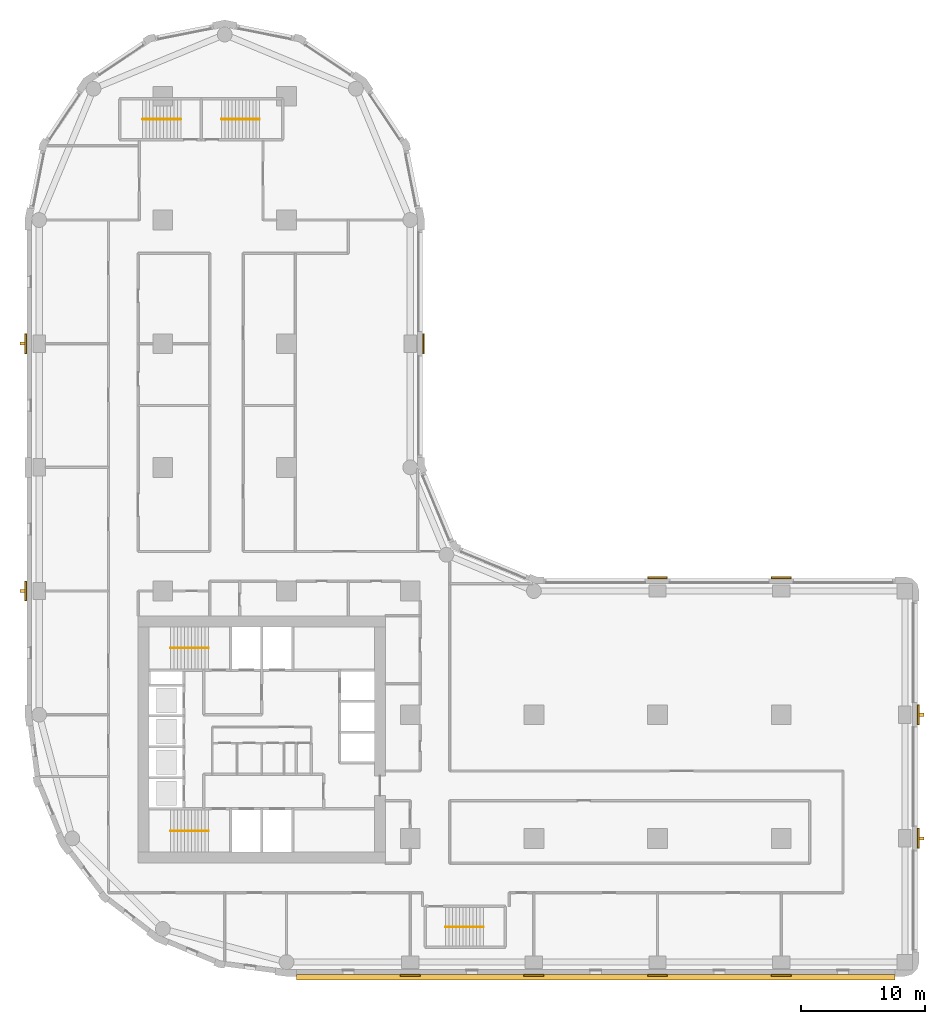
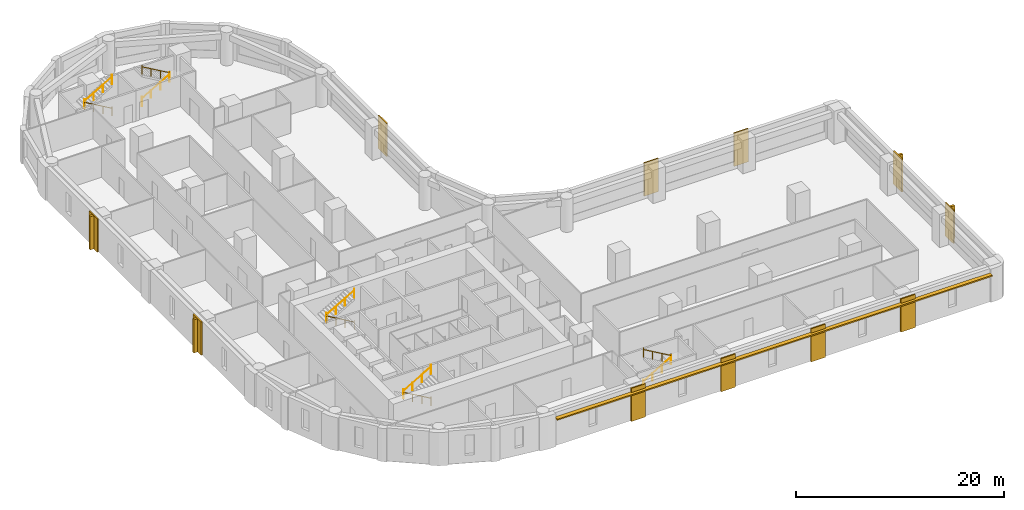
# One storey, part 9 of 10: 11 coverings, 10 railings, 5 shading devices.
"""IFC4 building model written with IfcOpenShell, lengths in metres."""

from ifc_helpers import new_model, si_unit, direction, frame, origin, origin_2d, place, context, subcontext, project, spatial, polyline, rectangle, circle, outline, extrude, material, layer, layer_set, type_object, element, save


model = new_model("IFC4")

# Units and contexts
model_context = context("Model", 3, precision=1e-05, world=origin(), true_north=direction((0.0, 1.0)))
body_context = subcontext(model_context, "Body", "Model", "MODEL_VIEW")
ifc_project = project(units=[si_unit("LENGTHUNIT", "METRE"), si_unit("AREAUNIT", "SQUARE_METRE"), si_unit("VOLUMEUNIT", "CUBIC_METRE"), si_unit("PLANEANGLEUNIT", "RADIAN"), si_unit("MASSUNIT", "GRAM", prefix="KILO")], contexts=[model_context])

# Site, building, storey
site_placement = place(None, origin())
site = spatial("IfcSite", under=ifc_project, at=site_placement, CompositionType="ELEMENT")
building_placement = place(site_placement, origin())
building = spatial("IfcBuilding", under=site, at=building_placement, Name="Qaws Garden Tower", CompositionType="ELEMENT")
storey_placement = place(building_placement, frame((0.0, 0.0, 101.699951171875)))
storey = spatial("IfcBuildingStorey", under=building, at=storey_placement, Name="L25", CompositionType="ELEMENT", Elevation=101.699951171875)

# Coverings
ifc_material_1 = material(Name="Clay facing brick masonry", Category="masonry")
ifc_layer_1 = layer(ifc_material_1, 0.14990234375)
ifc_layer_set_1 = layer_set([ifc_layer_1], Name="Clay facing brick masonry")
covering_type = type_object("IfcCoveringType", Name="Brick pilaster facing 150 x 1600", PredefinedType="CLADDING", material=ifc_layer_set_1)
placement = place(storey_placement, origin())
element("IfcCovering", 1, at=placement, inside=storey, type_object=covering_type, Name="E-L25-pier-01", PredefinedType="CLADDING", context=body_context, shape_type="SweptSolid", body=[
    extrude(outline(polyline([(29.199951171875, -1.0), (30.800048828125, -1.0), (30.800048828125, -1.14990234375), (29.199951171875, -1.14990234375), (29.199951171875, -1.0)])), origin(), (0.0, 0.0, 1.0), 3.900146484375),
])
element("IfcCovering", 2, at=placement, inside=storey, type_object=covering_type, Name="E-L25-pier-02", PredefinedType="CLADDING", context=body_context, shape_type="SweptSolid", body=[
    extrude(outline(polyline([(39.199951171875, -1.0), (40.800048828125, -1.0), (40.800048828125, -1.14990234375), (39.199951171875, -1.14990234375), (39.199951171875, -1.0)])), origin(), (0.0, 0.0, 1.0), 3.900146484375),
])
element("IfcCovering", 3, at=placement, inside=storey, type_object=covering_type, Name="E-L25-pier-03", PredefinedType="CLADDING", context=body_context, shape_type="SweptSolid", body=[
    extrude(outline(polyline([(49.199951171875, -1.0), (50.800048828125, -1.0), (50.800048828125, -1.14990234375), (49.199951171875, -1.14990234375), (49.199951171875, -1.0)])), origin(), (0.0, 0.0, 1.0), 3.900146484375),
])
element("IfcCovering", 4, at=placement, inside=storey, type_object=covering_type, Name="E-L25-pier-04", PredefinedType="CLADDING", context=body_context, shape_type="SweptSolid", body=[
    extrude(outline(polyline([(59.199951171875, -1.0), (60.800048828125, -1.0), (60.800048828125, -1.14990234375), (59.199951171875, -1.14990234375), (59.199951171875, -1.0)])), origin(), (0.0, 0.0, 1.0), 3.900146484375),
])
element("IfcCovering", 5, at=placement, inside=storey, type_object=covering_type, Name="E-L25-pier-06", PredefinedType="CLADDING", context=body_context, shape_type="SweptSolid", body=[
    extrude(outline(polyline([(71.0, 9.199951171875), (71.0, 10.800048828125), (71.14990234375, 10.800048828125), (71.14990234375, 9.199951171875), (71.0, 9.199951171875)])), origin(), (0.0, 0.0, 1.0), 3.900146484375),
])
element("IfcCovering", 6, at=placement, inside=storey, type_object=covering_type, Name="E-L25-pier-07", PredefinedType="CLADDING", context=body_context, shape_type="SweptSolid", body=[
    extrude(outline(polyline([(71.0, 19.199951171875), (71.0, 20.800048828125), (71.14990234375, 20.800048828125), (71.14990234375, 19.199951171875), (71.0, 19.199951171875)])), origin(), (0.0, 0.0, 1.0), 3.900146484375),
])
element("IfcCovering", 7, at=placement, inside=storey, type_object=covering_type, Name="E-L25-pier-09", PredefinedType="CLADDING", context=body_context, shape_type="SweptSolid", body=[
    extrude(outline(polyline([(60.800048828125, 31.0), (59.199951171875, 31.0), (59.199951171875, 31.14990234375), (60.800048828125, 31.14990234375), (60.800048828125, 31.0)])), origin(), (0.0, 0.0, 1.0), 3.900146484375),
])
element("IfcCovering", 8, at=placement, inside=storey, type_object=covering_type, Name="E-L25-pier-10", PredefinedType="CLADDING", context=body_context, shape_type="SweptSolid", body=[
    extrude(outline(polyline([(50.800048828125, 31.0), (49.199951171875, 31.0), (49.199951171875, 31.14990234375), (50.800048828125, 31.14990234375), (50.800048828125, 31.0)])), origin(), (0.0, 0.0, 1.0), 3.900146484375),
])
element("IfcCovering", 9, at=placement, inside=storey, type_object=covering_type, Name="E-L25-pier-14", PredefinedType="CLADDING", context=body_context, shape_type="SweptSolid", body=[
    extrude(outline(polyline([(31.0, 49.199951171875), (31.0, 50.800048828125), (31.14990234375, 50.800048828125), (31.14990234375, 49.199951171875), (31.0, 49.199951171875)])), origin(), (0.0, 0.0, 1.0), 3.900146484375),
])
element("IfcCovering", 10, at=placement, inside=storey, type_object=covering_type, Name="E-L25-pier-24", PredefinedType="CLADDING", context=body_context, shape_type="SweptSolid", body=[
    extrude(outline(polyline([(-1.0, 50.800048828125), (-1.0, 49.199951171875), (-1.14990234375, 49.199951171875), (-1.14990234375, 50.800048828125), (-1.0, 50.800048828125)])), origin(), (0.0, 0.0, 1.0), 3.900146484375),
])
element("IfcCovering", 11, at=placement, inside=storey, type_object=covering_type, Name="E-L25-pier-26", PredefinedType="CLADDING", context=body_context, shape_type="SweptSolid", body=[
    extrude(outline(polyline([(-1.0, 30.800048828125), (-1.0, 29.199951171875), (-1.14990234375, 29.199951171875), (-1.14990234375, 30.800048828125), (-1.0, 30.800048828125)])), origin(), (0.0, 0.0, 1.0), 3.900146484375),
])

# Shading devices
ifc_material_2 = material(Name="Clay facing brick masonry", Category="masonry")
ifc_layer_2 = layer(ifc_material_2, 0.14990234375)
ifc_layer_set_2 = layer_set([ifc_layer_2], Name="Clay facing brick masonry")
shading_device_type_1 = type_object("IfcShadingDeviceType", Name="Brick sunshade band 450 x 150", PredefinedType="JALOUSIE", material=ifc_layer_set_2)
shading_device_placement = place(storey_placement, frame((0.0, 0.0, 3.25)))
element("IfcShadingDevice", 12, at=shading_device_placement, inside=storey, type_object=shading_device_type_1, Name="SUNSHADE 00", PredefinedType="JALOUSIE", context=body_context, shape_type="SweptSolid", body=[
    extrude(outline(polyline([(20.800048828125, -1.0), (20.800048828125, -1.449951171875), (69.199951171875, -1.449951171875), (69.199951171875, -1.0), (60.800048828125, -1.0), (60.800048828125, -1.14990234375), (59.199951171875, -1.14990234375), (59.199951171875, -1.0), (50.800048828125, -1.0), (50.800048828125, -1.14990234375), (49.199951171875, -1.14990234375), (49.199951171875, -1.0), (40.800048828125, -1.0), (40.800048828125, -1.14990234375), (39.199951171875, -1.14990234375), (39.199951171875, -1.0), (30.800048828125, -1.0), (30.800048828125, -1.14990234375), (29.199951171875, -1.14990234375), (29.199951171875, -1.0), (20.800048828125, -1.0)])), origin(), (0.0, 0.0, 1.0), 0.150146484375),
])
ifc_material_3 = material(Name="Clay facing brick masonry", Category="masonry")
ifc_layer_3 = layer(ifc_material_3, 0.25)
ifc_layer_set_3 = layer_set([ifc_layer_3], Name="Clay facing brick masonry")
shading_device_type_2 = type_object("IfcShadingDeviceType", Name="Brick-faced fin 250 x 400", PredefinedType="USERDEFINED", material=ifc_layer_set_3)
for number, where, z_axis, x_axis, name in (
    (13, (71.35009765625, 10.0, 0.0), (0.0, 0.0, 1.0), (0.0, 1.0, 0.0), "FIN 06"),
    (14, (71.35009765625, 20.0, 0.0), (0.0, 0.0, 1.0), (0.0, 1.0, 0.0), "FIN 07"),
    (15, (-1.35009765625, 50.0, 0.0), (0.0, 0.0, 1.0), (0.0, -1.0, 0.0), "FIN 24"),
    (16, (-1.35009765625, 30.0, 0.0), (0.0, 0.0, 1.0), (0.0, -1.0, 0.0), "FIN 26"),
):
    element("IfcShadingDevice", number, at=place(storey_placement, frame(where, z_axis=z_axis, x_axis=x_axis)), inside=storey, type_object=shading_device_type_2, Name=name, ObjectType="FIN", PredefinedType="USERDEFINED", context=body_context, shape_type="SweptSolid", body=[
        extrude(rectangle(XDim=0.25, YDim=0.39990234375, at=origin_2d()), origin(), (0.0, 0.0, 1.0), 3.89990234375),
    ])

# Railings
ifc_material_4 = material(Name="Steel S355", Category="steel")
railing_type = type_object("IfcRailingType", Name="Stair handrail 900", PredefinedType="HANDRAIL", material=ifc_material_4)
railing_1_placement = place(storey_placement, frame((13.699951171875, 10.60009765625, 0.16259765625)))
element("IfcRailing", 17, at=railing_1_placement, inside=storey, type_object=railing_type, Name="Stair 1 handrail", PredefinedType="HANDRAIL", context=body_context, shape_type="SweptSolid", body=[
    extrude(circle(Radius=0.02392578125, at=origin_2d()), frame((0.0, 0.0, 0.8759765625), z_axis=(-0.864903211148, 0.0, 0.501938676878), x_axis=(0.0, -1.0, 0.0)), (0.0, 0.0, 1.0), 3.560791015625),
    extrude(circle(Radius=0.02099609375, at=origin_2d()), origin(), (0.0, 0.0, 1.0), 1.06201171875),
    extrude(circle(Radius=0.02099609375, at=origin_2d()), frame((-1.026611328125, 0.0, 0.595703125)), (0.0, 0.0, 1.0), 0.851806640625),
    extrude(circle(Radius=0.02099609375, at=origin_2d()), frame((-2.05322265625, 0.0, 1.191650390625)), (0.0, 0.0, 1.0), 0.851806640625),
    extrude(circle(Radius=0.02099609375, at=origin_2d()), frame((-3.079833984375, 0.0, 1.787353515625)), (0.0, 0.0, 1.0), 1.06201171875),
])
railing_2_placement = place(storey_placement, frame((10.6201171875, 10.60009765625, 2.112548828125)))
element("IfcRailing", 18, at=railing_2_placement, inside=storey, type_object=railing_type, Name="Stair 1 handrail", PredefinedType="HANDRAIL", context=body_context, shape_type="SweptSolid", body=[
    extrude(circle(Radius=0.02392578125, at=origin_2d()), frame((0.0, 0.0, 0.8759765625), z_axis=(0.864873446163, 0.0, 0.501989962173), x_axis=(0.0, 1.0, 0.0)), (0.0, 0.0, 1.0), 3.56103515625),
    extrude(circle(Radius=0.02099609375, at=origin_2d()), origin(), (0.0, 0.0, 1.0), 1.06201171875),
    extrude(circle(Radius=0.02099609375, at=origin_2d()), frame((1.026611328125, 0.0, 0.595947265625)), (0.0, 0.0, 1.0), 0.851806640625),
    extrude(circle(Radius=0.02099609375, at=origin_2d()), frame((2.05322265625, 0.0, 1.191650390625)), (0.0, 0.0, 1.0), 0.851806640625),
    extrude(circle(Radius=0.02099609375, at=origin_2d()), frame((3.079833984375, 0.0, 1.78759765625)), (0.0, 0.0, 1.0), 1.06201171875),
])
railing_3_placement = place(storey_placement, frame((13.699951171875, 25.39990234375, 0.16259765625)))
element("IfcRailing", 19, at=railing_3_placement, inside=storey, type_object=railing_type, Name="Stair 4 handrail", PredefinedType="HANDRAIL", context=body_context, shape_type="SweptSolid", body=[
    extrude(circle(Radius=0.02392578125, at=origin_2d()), frame((0.0, 0.0, 0.8759765625), z_axis=(-0.864903211148, 0.0, 0.501938676878), x_axis=(0.0, -1.0, 0.0)), (0.0, 0.0, 1.0), 3.560791015625),
    extrude(circle(Radius=0.02099609375, at=origin_2d()), origin(), (0.0, 0.0, 1.0), 1.06201171875),
    extrude(circle(Radius=0.02099609375, at=origin_2d()), frame((-1.026611328125, 0.0, 0.595703125)), (0.0, 0.0, 1.0), 0.851806640625),
    extrude(circle(Radius=0.02099609375, at=origin_2d()), frame((-2.05322265625, 0.0, 1.191650390625)), (0.0, 0.0, 1.0), 0.851806640625),
    extrude(circle(Radius=0.02099609375, at=origin_2d()), frame((-3.079833984375, 0.0, 1.787353515625)), (0.0, 0.0, 1.0), 1.06201171875),
])
railing_4_placement = place(storey_placement, frame((10.6201171875, 25.39990234375, 2.112548828125)))
element("IfcRailing", 20, at=railing_4_placement, inside=storey, type_object=railing_type, Name="Stair 4 handrail", PredefinedType="HANDRAIL", context=body_context, shape_type="SweptSolid", body=[
    extrude(circle(Radius=0.02392578125, at=origin_2d()), frame((0.0, 0.0, 0.8759765625), z_axis=(0.864873446163, 0.0, 0.501989962173), x_axis=(0.0, 1.0, 0.0)), (0.0, 0.0, 1.0), 3.56103515625),
    extrude(circle(Radius=0.02099609375, at=origin_2d()), origin(), (0.0, 0.0, 1.0), 1.06201171875),
    extrude(circle(Radius=0.02099609375, at=origin_2d()), frame((1.026611328125, 0.0, 0.595947265625)), (0.0, 0.0, 1.0), 0.851806640625),
    extrude(circle(Radius=0.02099609375, at=origin_2d()), frame((2.05322265625, 0.0, 1.191650390625)), (0.0, 0.0, 1.0), 0.851806640625),
    extrude(circle(Radius=0.02099609375, at=origin_2d()), frame((3.079833984375, 0.0, 1.78759765625)), (0.0, 0.0, 1.0), 1.06201171875),
])
railing_5_placement = place(storey_placement, frame((32.85009765625, 2.85009765625, 0.16259765625)))
element("IfcRailing", 21, at=railing_5_placement, inside=storey, type_object=railing_type, Name="Stair 5 handrail", PredefinedType="HANDRAIL", context=body_context, shape_type="SweptSolid", body=[
    extrude(circle(Radius=0.02392578125, at=origin_2d()), frame((0.0, 0.0, 0.8759765625), z_axis=(0.864903211148, 0.0, 0.501938676878), x_axis=(0.0, 1.0, 0.0)), (0.0, 0.0, 1.0), 3.560791015625),
    extrude(circle(Radius=0.02099609375, at=origin_2d()), origin(), (0.0, 0.0, 1.0), 1.06201171875),
    extrude(circle(Radius=0.02099609375, at=origin_2d()), frame((1.026611328125, 0.0, 0.595703125)), (0.0, 0.0, 1.0), 0.851806640625),
    extrude(circle(Radius=0.02099609375, at=origin_2d()), frame((2.05322265625, 0.0, 1.191650390625)), (0.0, 0.0, 1.0), 0.851806640625),
    extrude(circle(Radius=0.02099609375, at=origin_2d()), frame((3.079833984375, 0.0, 1.787353515625)), (0.0, 0.0, 1.0), 1.06201171875),
])
railing_6_placement = place(storey_placement, frame((35.929931640625, 2.85009765625, 2.112548828125)))
element("IfcRailing", 22, at=railing_6_placement, inside=storey, type_object=railing_type, Name="Stair 5 handrail", PredefinedType="HANDRAIL", context=body_context, shape_type="SweptSolid", body=[
    extrude(circle(Radius=0.02392578125, at=origin_2d()), frame((0.0, 0.0, 0.8759765625), z_axis=(-0.864873446163, 0.0, 0.501989962173), x_axis=(0.0, -1.0, 0.0)), (0.0, 0.0, 1.0), 3.56103515625),
    extrude(circle(Radius=0.02099609375, at=origin_2d()), origin(), (0.0, 0.0, 1.0), 1.06201171875),
    extrude(circle(Radius=0.02099609375, at=origin_2d()), frame((-1.026611328125, 0.0, 0.595947265625)), (0.0, 0.0, 1.0), 0.851806640625),
    extrude(circle(Radius=0.02099609375, at=origin_2d()), frame((-2.05322265625, 0.0, 1.191650390625)), (0.0, 0.0, 1.0), 0.851806640625),
    extrude(circle(Radius=0.02099609375, at=origin_2d()), frame((-3.079833984375, 0.0, 1.78759765625)), (0.0, 0.0, 1.0), 1.06201171875),
])
railing_7_placement = place(storey_placement, frame((11.449951171875, 68.14990234375, 0.16259765625)))
element("IfcRailing", 23, at=railing_7_placement, inside=storey, type_object=railing_type, Name="Stair 6 handrail", PredefinedType="HANDRAIL", context=body_context, shape_type="SweptSolid", body=[
    extrude(circle(Radius=0.02392578125, at=origin_2d()), frame((0.0, 0.0, 0.8759765625), z_axis=(-0.864903211148, 0.0, 0.501938676878), x_axis=(0.0, -1.0, 0.0)), (0.0, 0.0, 1.0), 3.560791015625),
    extrude(circle(Radius=0.02099609375, at=origin_2d()), origin(), (0.0, 0.0, 1.0), 1.06201171875),
    extrude(circle(Radius=0.02099609375, at=origin_2d()), frame((-1.026611328125, 0.0, 0.595703125)), (0.0, 0.0, 1.0), 0.851806640625),
    extrude(circle(Radius=0.02099609375, at=origin_2d()), frame((-2.05322265625, 0.0, 1.191650390625)), (0.0, 0.0, 1.0), 0.851806640625),
    extrude(circle(Radius=0.02099609375, at=origin_2d()), frame((-3.079833984375, 0.0, 1.787353515625)), (0.0, 0.0, 1.0), 1.06201171875),
])
railing_8_placement = place(storey_placement, frame((8.3701171875, 68.14990234375, 2.112548828125)))
element("IfcRailing", 24, at=railing_8_placement, inside=storey, type_object=railing_type, Name="Stair 6 handrail", PredefinedType="HANDRAIL", context=body_context, shape_type="SweptSolid", body=[
    extrude(circle(Radius=0.02392578125, at=origin_2d()), frame((0.0, 0.0, 0.8759765625), z_axis=(0.864873446163, 0.0, 0.501989962173), x_axis=(0.0, 1.0, 0.0)), (0.0, 0.0, 1.0), 3.56103515625),
    extrude(circle(Radius=0.02099609375, at=origin_2d()), origin(), (0.0, 0.0, 1.0), 1.06201171875),
    extrude(circle(Radius=0.02099609375, at=origin_2d()), frame((1.026611328125, 0.0, 0.595947265625)), (0.0, 0.0, 1.0), 0.851806640625),
    extrude(circle(Radius=0.02099609375, at=origin_2d()), frame((2.05322265625, 0.0, 1.191650390625)), (0.0, 0.0, 1.0), 0.851806640625),
    extrude(circle(Radius=0.02099609375, at=origin_2d()), frame((3.079833984375, 0.0, 1.78759765625)), (0.0, 0.0, 1.0), 1.06201171875),
])
railing_9_placement = place(storey_placement, frame((14.75, 68.14990234375, 0.16259765625)))
element("IfcRailing", 25, at=railing_9_placement, inside=storey, type_object=railing_type, Name="Stair 7 handrail", PredefinedType="HANDRAIL", context=body_context, shape_type="SweptSolid", body=[
    extrude(circle(Radius=0.02392578125, at=origin_2d()), frame((0.0, 0.0, 0.8759765625), z_axis=(0.864920483161, 0.0, 0.501908913857), x_axis=(0.0, 1.0, 0.0)), (0.0, 0.0, 1.0), 3.56103515625),
    extrude(circle(Radius=0.02099609375, at=origin_2d()), origin(), (0.0, 0.0, 1.0), 1.06201171875),
    extrude(circle(Radius=0.02099609375, at=origin_2d()), frame((1.026611328125, 0.0, 0.595703125)), (0.0, 0.0, 1.0), 0.851806640625),
    extrude(circle(Radius=0.02099609375, at=origin_2d()), frame((2.053466796875, 0.0, 1.191650390625)), (0.0, 0.0, 1.0), 0.851806640625),
    extrude(circle(Radius=0.02099609375, at=origin_2d()), frame((3.080078125, 0.0, 1.787353515625)), (0.0, 0.0, 1.0), 1.06201171875),
])
railing_10_placement = place(storey_placement, frame((17.830078125, 68.14990234375, 2.112548828125)))
element("IfcRailing", 26, at=railing_10_placement, inside=storey, type_object=railing_type, Name="Stair 7 handrail", PredefinedType="HANDRAIL", context=body_context, shape_type="SweptSolid", body=[
    extrude(circle(Radius=0.02392578125, at=origin_2d()), frame((0.0, 0.0, 0.8759765625), z_axis=(-0.864890721111, 0.0, 0.501960198159), x_axis=(0.0, -1.0, 0.0)), (0.0, 0.0, 1.0), 3.561279296875),
    extrude(circle(Radius=0.02099609375, at=origin_2d()), origin(), (0.0, 0.0, 1.0), 1.06201171875),
    extrude(circle(Radius=0.02099609375, at=origin_2d()), frame((-1.026611328125, 0.0, 0.595947265625)), (0.0, 0.0, 1.0), 0.851806640625),
    extrude(circle(Radius=0.02099609375, at=origin_2d()), frame((-2.053466796875, 0.0, 1.191650390625)), (0.0, 0.0, 1.0), 0.851806640625),
    extrude(circle(Radius=0.02099609375, at=origin_2d()), frame((-3.080078125, 0.0, 1.78759765625)), (0.0, 0.0, 1.0), 1.06201171875),
])

save(model, "model.ifc")
